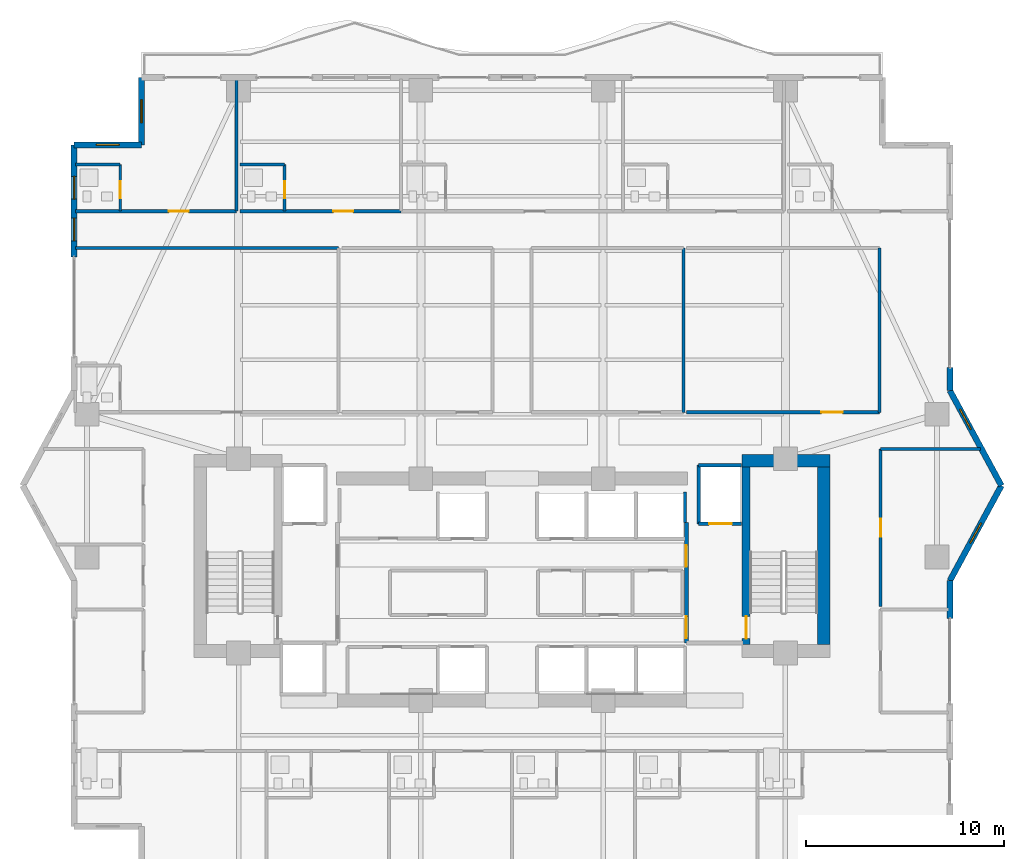
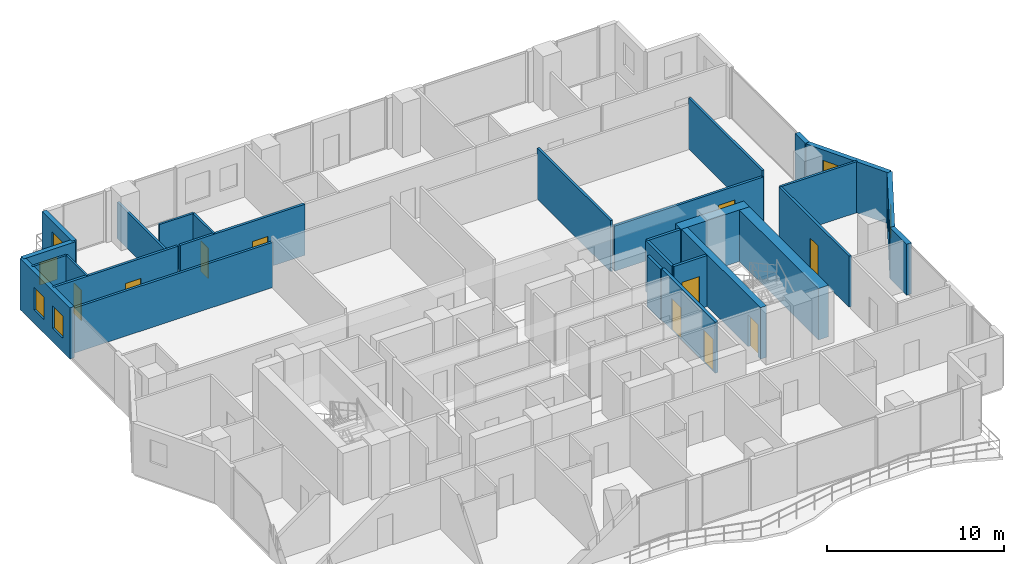
# One storey, part 27 of 32: 28 walls, 10 doors, 6 windows, 16 openings.
"""IFC4 building model written with IfcOpenShell, lengths in metres."""

from ifc_helpers import new_model, si_unit, direction, frame, frame_2d, origin, place, context, subcontext, project, spatial, rectangle, extrude, material, layer, layer_set, type_object, element, fill, save


model = new_model("IFC4")

# Units and contexts
model_context = context("Model", 3, precision=1e-05, world=origin(), true_north=direction((0.0, 1.0)))
body_context = subcontext(model_context, "Body", "Model", "MODEL_VIEW")
ifc_project = project(units=[si_unit("LENGTHUNIT", "METRE"), si_unit("AREAUNIT", "SQUARE_METRE"), si_unit("VOLUMEUNIT", "CUBIC_METRE"), si_unit("PLANEANGLEUNIT", "RADIAN"), si_unit("MASSUNIT", "GRAM", prefix="KILO")], contexts=[model_context])

# Site, building, storey
site_placement = place(None, origin())
site = spatial("IfcSite", under=ifc_project, at=site_placement, CompositionType="ELEMENT")
building_placement = place(site_placement, origin())
building = spatial("IfcBuilding", under=site, at=building_placement, Name="Zuhayl Quay Hotel", CompositionType="ELEMENT")
storey_placement = place(building_placement, frame((0.0, 0.0, 192.39990234375)))
storey = spatial("IfcBuildingStorey", under=building, at=storey_placement, Name="L48", CompositionType="ELEMENT", Elevation=192.39990234375)

# Walls
ifc_material_1 = material(Name="Concrete C50/60", Category="concrete")
ifc_layer_1 = layer(ifc_material_1, 0.64990234375, Name="Concrete C50/60", Category="concrete")
ifc_layer_set_1 = layer_set([ifc_layer_1], Name="Concrete C50/60")
wall_type_1 = type_object("IfcWallType", Name="WL_CORE_650", PredefinedType="SHEAR", material=ifc_layer_set_1)
wall_1_placement = place(storey_placement, frame((11.60009765625, 14.2548828125, 0.0), z_axis=(0.0, 0.0, 1.0), x_axis=(1.0, 0.0, 0.0)))
element("IfcWall", 1, at=wall_1_placement, inside=storey, type_object=wall_type_1, Name="L48 Core Shear Wall CW_NE", PredefinedType="SHEAR", context=body_context, shape_type="SweptSolid", body=[
    extrude(rectangle(XDim=4.4599609375, YDim=0.64990234375, at=frame_2d((2.22998046875, 0.0))), origin(), (0.0, 0.0, 1.0), 3.56005859375),
])
wall_2_placement = place(storey_placement, frame((15.735107421875, 4.969970703125, 0.0), z_axis=(0.0, 0.0, 1.0), x_axis=(0.0, 1.0, 0.0)))
element("IfcWall", 2, at=wall_2_placement, inside=storey, type_object=wall_type_1, Name="L48 Core Shear Wall CW_E", PredefinedType="SHEAR", context=body_context, shape_type="SweptSolid", body=[
    extrude(rectangle(XDim=8.9599609375, YDim=0.64990234375, at=frame_2d((4.47998046875, 0.0))), origin(), (0.0, 0.0, 1.0), 3.56005859375),
])

# Wall, openings, windows
ifc_material_2 = material(Name="Precast concrete C45/55", Category="concrete")
ifc_layer_2 = layer(ifc_material_2, 0.300048828125, Name="Precast concrete C45/55", Category="concrete")
ifc_layer_set_2 = layer_set([ifc_layer_2], Name="Precast concrete C45/55")
wall_type_2 = type_object("IfcWallType", Name="WL_EXT_300", PredefinedType="STANDARD", material=ifc_layer_set_2)
wall_3_placement = place(storey_placement, frame((-22.10009765625, 24.550048828125, 0.0), z_axis=(0.0, 0.0, 1.0), x_axis=(0.0, 1.0, 0.0)))
wall_3 = element("IfcWall", 3, at=wall_3_placement, inside=storey, type_object=wall_type_2, Name="L48 Exterior Precast Wall ENV_L48_E05_EW2", PredefinedType="STANDARD", context=body_context, shape_type="SweptSolid", body=[
    extrude(rectangle(XDim=5.64990234375, YDim=0.300048828125, at=frame_2d((2.824951171875, 0.0))), origin(), (0.0, 0.0, 1.0), 3.530029296875),
])
opening_1_placement = place(wall_3_placement, frame((0.800048828125, 0.0, 0.949951171875)))
opening_1 = element("IfcOpeningElement", 4, at=opening_1_placement, cuts=wall_3, Name="Opening W01N", PredefinedType="OPENING", context=body_context, shape_type="SweptSolid", body=[
    extrude(rectangle(XDim=1.14990234375, YDim=1.550048828125, at=frame_2d((0.574951171875, 0.77490234375))), frame((0.0, 0.159912109375, 0.0), z_axis=(0.0, -1.0, 0.0), x_axis=(1.0, 0.0, 0.0)), (0.0, 0.0, 1.0), 0.320068359375),
])
opening_2_placement = place(wall_3_placement, frame((2.905029296875, 0.0, 0.949951171875)))
opening_2 = element("IfcOpeningElement", 5, at=opening_2_placement, cuts=wall_3, Name="Opening W01N", PredefinedType="OPENING", context=body_context, shape_type="SweptSolid", body=[
    extrude(rectangle(XDim=1.14990234375, YDim=1.550048828125, at=frame_2d((0.574951171875, 0.77490234375))), frame((0.0, 0.159912109375, 0.0), z_axis=(0.0, -1.0, 0.0), x_axis=(1.0, 0.0, 0.0)), (0.0, 0.0, 1.0), 0.320068359375),
])
ifc_material_3 = material(Name="Dark Ceramic-Fritted Solar Glass", Category="glass")
window_type = type_object("IfcWindowType", Name="WN_NOTCH_1350", PartitioningType="SINGLE_PANEL", PredefinedType="WINDOW", material=ifc_material_3)
window_1_placement = place(opening_1_placement, origin())
window_1 = element("IfcWindow", 6, at=window_1_placement, inside=storey, type_object=window_type, Name="L48 Operable Facade Window 2-1", OverallHeight=1.550048828125, OverallWidth=1.14990234375, PartitioningType="SINGLE_PANEL", PredefinedType="WINDOW", context=body_context, shape_type="SweptSolid", body=[
    extrude(rectangle(XDim=1.14990234375, YDim=1.550048828125, at=frame_2d((0.574951171875, 0.77490234375))), frame((0.0, 0.030029296875, 0.0), z_axis=(0.0, -1.0, 0.0), x_axis=(1.0, 0.0, 0.0)), (0.0, 0.0, 1.0), 0.06005859375),
])
fill(opening_1, window_1)
window_2_placement = place(opening_2_placement, origin())
window_2 = element("IfcWindow", 7, at=window_2_placement, inside=storey, type_object=window_type, Name="L48 Operable Facade Window 2-2", OverallHeight=1.550048828125, OverallWidth=1.14990234375, PartitioningType="SINGLE_PANEL", PredefinedType="WINDOW", context=body_context, shape_type="SweptSolid", body=[
    extrude(rectangle(XDim=1.14990234375, YDim=1.550048828125, at=frame_2d((0.574951171875, 0.77490234375))), frame((0.0, 0.030029296875, 0.0), z_axis=(0.0, -1.0, 0.0), x_axis=(1.0, 0.0, 0.0)), (0.0, 0.0, 1.0), 0.06005859375),
])
fill(opening_2, window_2)

# Wall, opening, window
wall_4_placement = place(storey_placement, frame((-22.10009765625, 30.199951171875, 0.0), z_axis=(0.0, 0.0, 1.0), x_axis=(1.0, 0.0, 0.0)))
wall_4 = element("IfcWall", 8, at=wall_4_placement, inside=storey, type_object=wall_type_2, Name="L48 Exterior Precast Wall ENV_L48_EW06", PredefinedType="STANDARD", context=body_context, shape_type="SweptSolid", body=[
    extrude(rectangle(XDim=3.400146484375, YDim=0.300048828125, at=frame_2d((1.7001953125, 0.0))), origin(), (0.0, 0.0, 1.0), 3.530029296875),
])
opening_3_placement = place(wall_4_placement, frame((1.125, 0.0, 1.25)))
opening_3 = element("IfcOpeningElement", 9, at=opening_3_placement, cuts=wall_4, Name="Opening W01N", PredefinedType="OPENING", context=body_context, shape_type="SweptSolid", body=[
    extrude(rectangle(XDim=1.14990234375, YDim=1.550048828125, at=frame_2d((0.574951171875, 0.77490234375))), frame((0.0, 0.159912109375, 0.0), z_axis=(0.0, -1.0, 0.0), x_axis=(1.0, 0.0, 0.0)), (0.0, 0.0, 1.0), 0.320068359375),
])
window_3_placement = place(opening_3_placement, origin())
window_3 = element("IfcWindow", 10, at=window_3_placement, inside=storey, type_object=window_type, Name="L48 Corner Notch Window 6", OverallHeight=1.550048828125, OverallWidth=1.14990234375, PartitioningType="SINGLE_PANEL", PredefinedType="WINDOW", context=body_context, shape_type="SweptSolid", body=[
    extrude(rectangle(XDim=1.14990234375, YDim=1.550048828125, at=frame_2d((0.574951171875, 0.77490234375))), frame((0.0, 0.030029296875, 0.0), z_axis=(0.0, -1.0, 0.0), x_axis=(1.0, 0.0, 0.0)), (0.0, 0.0, 1.0), 0.06005859375),
])
fill(opening_3, window_3)

wall_5_placement = place(storey_placement, frame((-18.699951171875, 30.199951171875, 0.0), z_axis=(0.0, 0.0, 1.0), x_axis=(0.0, 1.0, 0.0)))
wall_5 = element("IfcWall", 11, at=wall_5_placement, inside=storey, type_object=wall_type_2, Name="L48 Exterior Precast Wall ENV_L48_EW07", PredefinedType="STANDARD", context=body_context, shape_type="SweptSolid", body=[
    extrude(rectangle(XDim=3.400146484375, YDim=0.300048828125, at=frame_2d((1.7001953125, 0.0))), origin(), (0.0, 0.0, 1.0), 3.530029296875),
])
opening_4_placement = place(wall_5_placement, frame((1.125, 0.0, 1.25)))
opening_4 = element("IfcOpeningElement", 12, at=opening_4_placement, cuts=wall_5, Name="Opening W01N", PredefinedType="OPENING", context=body_context, shape_type="SweptSolid", body=[
    extrude(rectangle(XDim=1.14990234375, YDim=1.550048828125, at=frame_2d((0.574951171875, 0.77490234375))), frame((0.0, 0.159912109375, 0.0), z_axis=(0.0, -1.0, 0.0), x_axis=(1.0, 0.0, 0.0)), (0.0, 0.0, 1.0), 0.320068359375),
])
window_4_placement = place(opening_4_placement, origin())
window_4 = element("IfcWindow", 13, at=window_4_placement, inside=storey, type_object=window_type, Name="L48 Corner Notch Window 7", OverallHeight=1.550048828125, OverallWidth=1.14990234375, PartitioningType="SINGLE_PANEL", PredefinedType="WINDOW", context=body_context, shape_type="SweptSolid", body=[
    extrude(rectangle(XDim=1.14990234375, YDim=1.550048828125, at=frame_2d((0.574951171875, 0.77490234375))), frame((0.0, 0.030029296875, 0.0), z_axis=(0.0, -1.0, 0.0), x_axis=(1.0, 0.0, 0.0)), (0.0, 0.0, 1.0), 0.06005859375),
])
fill(opening_4, window_4)

# Wall
wall_6_placement = place(storey_placement, frame((22.10009765625, 18.949951171875, 0.0), z_axis=(0.0, 0.0, 1.0), x_axis=(0.0, -1.0, 0.0)))
element("IfcWall", 14, at=wall_6_placement, inside=storey, type_object=wall_type_2, Name="L48 Exterior Precast Wall ENV_L48_E11_EW2", PredefinedType="STANDARD", context=body_context, shape_type="SweptSolid", body=[
    extrude(rectangle(XDim=1.14990234375, YDim=0.300048828125, at=frame_2d((0.574951171875, 0.0))), origin(), (0.0, 0.0, 1.0), 3.530029296875),
])

# Wall, opening, window
wall_7_placement = place(storey_placement, frame((22.10009765625, 17.800048828125, 0.0), z_axis=(0.0, 0.0, 1.0), x_axis=(0.476258655584, -0.879305233114, 0.0)))
wall_7 = element("IfcWall", 15, at=wall_7_placement, inside=storey, type_object=wall_type_2, Name="L48 Exterior Precast Wall ENV_L48_EW12", PredefinedType="STANDARD", context=body_context, shape_type="SweptSolid", body=[
    extrude(rectangle(XDim=5.458984375, YDim=0.300048828125, at=frame_2d((2.7294921875, 0.0))), origin(), (0.0, 0.0, 1.0), 3.530029296875),
])
opening_5_placement = place(wall_7_placement, frame((1.078125, 0.0, 1.25)))
opening_5 = element("IfcOpeningElement", 16, at=opening_5_placement, cuts=wall_7, Name="Opening W01N", PredefinedType="OPENING", context=body_context, shape_type="SweptSolid", body=[
    extrude(rectangle(XDim=1.14990234375, YDim=1.550048828125, at=frame_2d((0.574951171875, 0.77490234375))), frame((0.0, 0.159912109375, 0.0), z_axis=(0.0, -1.0, 0.0), x_axis=(1.0, 0.0, 0.0)), (0.0, 0.0, 1.0), 0.320068359375),
])
window_5_placement = place(opening_5_placement, origin())
window_5 = element("IfcWindow", 17, at=window_5_placement, inside=storey, type_object=window_type, Name="L48 Corner Notch Window 12", OverallHeight=1.550048828125, OverallWidth=1.14990234375, PartitioningType="SINGLE_PANEL", PredefinedType="WINDOW", context=body_context, shape_type="SweptSolid", body=[
    extrude(rectangle(XDim=1.14990234375, YDim=1.550048828125, at=frame_2d((0.574951171875, 0.77490234375))), frame((0.0, 0.030029296875, 0.0), z_axis=(0.0, -1.0, 0.0), x_axis=(1.0, 0.0, 0.0)), (0.0, 0.0, 1.0), 0.06005859375),
])
fill(opening_5, window_5)

wall_8_placement = place(storey_placement, frame((24.699951171875, 13.0, 0.0), z_axis=(0.0, 0.0, 1.0), x_axis=(-0.476258655584, -0.879305233114, 0.0)))
wall_8 = element("IfcWall", 18, at=wall_8_placement, inside=storey, type_object=wall_type_2, Name="L48 Exterior Precast Wall ENV_L48_EW13", PredefinedType="STANDARD", context=body_context, shape_type="SweptSolid", body=[
    extrude(rectangle(XDim=5.458984375, YDim=0.300048828125, at=frame_2d((2.7294921875, 0.0))), origin(), (0.0, 0.0, 1.0), 3.530029296875),
])
opening_6_placement = place(wall_8_placement, frame((2.154541015625, 0.0, 1.25)))
opening_6 = element("IfcOpeningElement", 19, at=opening_6_placement, cuts=wall_8, Name="Opening W01N", PredefinedType="OPENING", context=body_context, shape_type="SweptSolid", body=[
    extrude(rectangle(XDim=1.14990234375, YDim=1.550048828125, at=frame_2d((0.574951171875, 0.77490234375))), frame((0.0, 0.159912109375, 0.0), z_axis=(0.0, -1.0, 0.0), x_axis=(1.0, 0.0, 0.0)), (0.0, 0.0, 1.0), 0.320068359375),
])
window_6_placement = place(opening_6_placement, origin())
window_6 = element("IfcWindow", 20, at=window_6_placement, inside=storey, type_object=window_type, Name="L48 Corner Notch Window 13", OverallHeight=1.550048828125, OverallWidth=1.14990234375, PartitioningType="SINGLE_PANEL", PredefinedType="WINDOW", context=body_context, shape_type="SweptSolid", body=[
    extrude(rectangle(XDim=1.14990234375, YDim=1.550048828125, at=frame_2d((0.574951171875, 0.77490234375))), frame((0.0, 0.030029296875, 0.0), z_axis=(0.0, -1.0, 0.0), x_axis=(1.0, 0.0, 0.0)), (0.0, 0.0, 1.0), 0.06005859375),
])
fill(opening_6, window_6)

# Walls
wall_9_placement = place(storey_placement, frame((22.10009765625, 8.199951171875, 0.0), z_axis=(0.0, 0.0, 1.0), x_axis=(0.0, -1.0, 0.0)))
element("IfcWall", 21, at=wall_9_placement, inside=storey, type_object=wall_type_2, Name="L48 Exterior Precast Wall ENV_L48_E14_EW1", PredefinedType="STANDARD", context=body_context, shape_type="SweptSolid", body=[
    extrude(rectangle(XDim=1.89990234375, YDim=0.300048828125, at=frame_2d((0.949951171875, 0.0))), origin(), (0.0, 0.0, 1.0), 3.530029296875),
])
ifc_material_4 = material(Name="Acoustic Gypsum Partition STC-58")
ifc_layer_3 = layer(ifc_material_4, 0.14990234375, Name="Acoustic Gypsum Partition STC-58")
ifc_layer_set_3 = layer_set([ifc_layer_3], Name="Acoustic Gypsum Partition STC-58")
wall_type_3 = type_object("IfcWallType", Name="WL_PART_150", PredefinedType="PARTITIONING", material=ifc_layer_set_3)
wall_10_placement = place(storey_placement, frame((-13.89990234375, 26.85009765625, 0.0), z_axis=(0.0, 0.0, 1.0), x_axis=(0.0, 1.0, 0.0)))
element("IfcWall", 22, at=wall_10_placement, inside=storey, type_object=wall_type_3, Name="L48 Partition IW_L48_NU01A_E", PredefinedType="PARTITIONING", context=body_context, shape_type="SweptSolid", body=[
    extrude(rectangle(XDim=6.669921875, YDim=0.14990234375, at=frame_2d((3.3349609375, 0.0))), origin(), (0.0, 0.0, 1.0), 2.51904296875),
])
for number, where, z_axis, x_axis, name in (
    (23, (8.64990234375, 16.699951171875, 0.0), (0.0, 0.0, 1.0), (0.0, 1.0, 0.0), "L48 Partition IW_L48_Z3_SAL_E1_E"),
    (24, (18.550048828125, 16.699951171875, 0.0), (0.0, 0.0, 1.0), (0.0, 1.0, 0.0), "L48 Partition IW_L48_Z3_SAL_E2_E"),
):
    element("IfcWall", number, at=place(storey_placement, frame(where, z_axis=z_axis, x_axis=x_axis)), inside=storey, type_object=wall_type_3, Name=name, PredefinedType="PARTITIONING", context=body_context, shape_type="SweptSolid", body=[
        extrude(rectangle(XDim=8.300048828125, YDim=0.14990234375, at=frame_2d((4.14990234375, 0.0))), origin(), (0.0, 0.0, 1.0), 3.530029296875),
    ])
wall_11_placement = place(storey_placement, frame((18.60009765625, 14.85009765625, 0.0), z_axis=(0.0, 0.0, 1.0), x_axis=(1.0, 0.0, 0.0)))
element("IfcWall", 25, at=wall_11_placement, inside=storey, type_object=wall_type_3, Name="L48 Partition IW_L48_EFLK_2_N", PredefinedType="PARTITIONING", context=body_context, shape_type="SweptSolid", body=[
    extrude(rectangle(XDim=5.037841796875, YDim=0.14990234375, at=frame_2d((2.51904296875, 0.0))), origin(), (0.0, 0.0, 1.0), 3.530029296875),
])

# Wall, opening, door
ifc_layer_4 = layer(ifc_material_4, 0.159912109375, Name="Acoustic Gypsum Partition STC-58")
ifc_layer_set_4 = layer_set([ifc_layer_4], Name="Acoustic Gypsum Partition STC-58")
wall_type_4 = type_object("IfcWallType", Name="WL_PART_CORR_160", PredefinedType="PARTITIONING", material=ifc_layer_set_4)
wall_12_placement = place(storey_placement, frame((-22.0400390625, 26.85009765625, 0.0), z_axis=(0.0, 0.0, 1.0), x_axis=(1.0, 0.0, 0.0)))
wall_12 = element("IfcWall", 26, at=wall_12_placement, inside=storey, type_object=wall_type_4, Name="L48 Partition IW_L48_NU01A_COR", PredefinedType="PARTITIONING", context=body_context, shape_type="SweptSolid", body=[
    extrude(rectangle(XDim=8.14013671875, YDim=0.159912109375, at=frame_2d((4.070068359375, 0.0))), origin(), (0.0, 0.0, 1.0), 3.530029296875),
])
opening_7_placement = place(wall_12_placement, frame((4.719970703125, 0.0, 0.0)))
opening_7 = element("IfcOpeningElement", 27, at=opening_7_placement, cuts=wall_12, Name="Opening D03L", PredefinedType="OPENING", context=body_context, shape_type="SweptSolid", body=[
    extrude(rectangle(XDim=1.0, YDim=2.14990234375, at=frame_2d((0.5, 1.074951171875))), frame((0.0, 0.08984375, 0.0), z_axis=(0.0, -1.0, 0.0), x_axis=(1.0, 0.0, 0.0)), (0.0, 0.0, 1.0), 0.179931640625),
])
ifc_material_5 = material(Name="Solid Walnut Acoustic Fire Door")
door_type_1 = type_object("IfcDoorType", Name="DR_SUITE_1000", OperationType="NOTDEFINED", PredefinedType="DOOR", material=ifc_material_5)
door_1_placement = place(opening_7_placement, origin())
door_1 = element("IfcDoor", 28, at=door_1_placement, inside=storey, type_object=door_type_1, Name="L48 Panoramic Gulf Suite L48-01A Entrance Door", OperationType="SINGLE_SWING_RIGHT", OverallHeight=2.14990234375, OverallWidth=1.0, PredefinedType="DOOR", context=body_context, shape_type="SweptSolid", body=[
    extrude(rectangle(XDim=1.0, YDim=2.14990234375, at=frame_2d((0.5, 1.074951171875))), frame((0.0, 0.02490234375, 0.0), z_axis=(0.0, -1.0, 0.0), x_axis=(1.0, 0.0, 0.0)), (0.0, 0.0, 1.0), 0.050048828125),
])
fill(opening_7, door_1)

wall_13_placement = place(storey_placement, frame((-13.739990234375, 26.85009765625, 0.0), z_axis=(0.0, 0.0, 1.0), x_axis=(1.0, 0.0, 0.0)))
wall_13 = element("IfcWall", 29, at=wall_13_placement, inside=storey, type_object=wall_type_4, Name="L48 Partition IW_L48_NU01B_COR", PredefinedType="PARTITIONING", context=body_context, shape_type="SweptSolid", body=[
    extrude(rectangle(XDim=8.139892578125, YDim=0.159912109375, at=frame_2d((4.06982421875, 0.0))), origin(), (0.0, 0.0, 1.0), 3.530029296875),
])
opening_8_placement = place(wall_13_placement, frame((4.719970703125, 0.0, 0.0)))
opening_8 = element("IfcOpeningElement", 30, at=opening_8_placement, cuts=wall_13, Name="Opening D03L", PredefinedType="OPENING", context=body_context, shape_type="SweptSolid", body=[
    extrude(rectangle(XDim=1.0, YDim=2.14990234375, at=frame_2d((0.5, 1.074951171875))), frame((0.0, 0.08984375, 0.0), z_axis=(0.0, -1.0, 0.0), x_axis=(1.0, 0.0, 0.0)), (0.0, 0.0, 1.0), 0.179931640625),
])
door_2_placement = place(opening_8_placement, origin())
door_2 = element("IfcDoor", 31, at=door_2_placement, inside=storey, type_object=door_type_1, Name="L48 Panoramic Gulf Suite L48-01B Entrance Door", OperationType="SINGLE_SWING_RIGHT", OverallHeight=2.14990234375, OverallWidth=1.0, PredefinedType="DOOR", context=body_context, shape_type="SweptSolid", body=[
    extrude(rectangle(XDim=1.0, YDim=2.14990234375, at=frame_2d((0.5, 1.074951171875))), frame((0.0, 0.02490234375, 0.0), z_axis=(0.0, -1.0, 0.0), x_axis=(1.0, 0.0, 0.0)), (0.0, 0.0, 1.0), 0.050048828125),
])
fill(opening_8, door_2)

wall_14_placement = place(storey_placement, frame((8.81005859375, 16.699951171875, 0.0), z_axis=(0.0, 0.0, 1.0), x_axis=(1.0, 0.0, 0.0)))
wall_14 = element("IfcWall", 32, at=wall_14_placement, inside=storey, type_object=wall_type_4, Name="L48 Partition IW_L48_Z3_SAL_E2_S", PredefinedType="PARTITIONING", context=body_context, shape_type="SweptSolid", body=[
    extrude(rectangle(XDim=9.739990234375, YDim=0.159912109375, at=frame_2d((4.8701171875, 0.0))), origin(), (0.0, 0.0, 1.0), 3.1240234375),
])
opening_9_placement = place(wall_14_placement, frame((6.800048828125, 0.0, 0.0)))
opening_9 = element("IfcOpeningElement", 33, at=opening_9_placement, cuts=wall_14, Name="Opening D05A", PredefinedType="OPENING", context=body_context, shape_type="SweptSolid", body=[
    extrude(rectangle(XDim=1.080078125, YDim=2.179931640625, at=frame_2d((0.5400390625, 1.08984375))), frame((0.0, 0.08984375, 0.0), z_axis=(0.0, -1.0, 0.0), x_axis=(1.0, 0.0, 0.0)), (0.0, 0.0, 1.0), 0.179931640625),
])
door_type_2 = type_object("IfcDoorType", Name="DR_INT_1100", OperationType="NOTDEFINED", PredefinedType="DOOR", material=ifc_material_5)
door_3_placement = place(opening_9_placement, origin())
door_3 = element("IfcDoor", 34, at=door_3_placement, inside=storey, type_object=door_type_2, Name="L48 Botanical Tea Salon Door", OperationType="SINGLE_SWING_LEFT", OverallHeight=2.179931640625, OverallWidth=1.080078125, PredefinedType="DOOR", context=body_context, shape_type="SweptSolid", body=[
    extrude(rectangle(XDim=1.080078125, YDim=2.179931640625, at=frame_2d((0.5400390625, 1.08984375))), frame((0.0, 0.02490234375, 0.0), z_axis=(0.0, -1.0, 0.0), x_axis=(1.0, 0.0, 0.0)), (0.0, 0.0, 1.0), 0.050048828125),
])
fill(opening_9, door_3)

wall_15_placement = place(storey_placement, frame((18.60009765625, 6.909912109375, 0.0), z_axis=(0.0, 0.0, 1.0), x_axis=(0.0, 1.0, 0.0)))
wall_15 = element("IfcWall", 35, at=wall_15_placement, inside=storey, type_object=wall_type_4, Name="L48 Partition IW_L48_EFLK_2_W", PredefinedType="PARTITIONING", context=body_context, shape_type="SweptSolid", body=[
    extrude(rectangle(XDim=7.940185546875, YDim=0.159912109375, at=frame_2d((3.97021484375, 0.0))), origin(), (0.0, 0.0, 1.0), 3.530029296875),
])
opening_10_placement = place(wall_15_placement, frame((3.510009765625, 0.0, 0.0)))
opening_10 = element("IfcOpeningElement", 36, at=opening_10_placement, cuts=wall_15, Name="Opening D05", PredefinedType="OPENING", context=body_context, shape_type="SweptSolid", body=[
    extrude(rectangle(XDim=0.919921875, YDim=2.1201171875, at=frame_2d((0.4599609375, 1.06005859375))), frame((0.0, 0.08984375, 0.0), z_axis=(0.0, -1.0, 0.0), x_axis=(1.0, 0.0, 0.0)), (0.0, 0.0, 1.0), 0.179931640625),
])
door_type_3 = type_object("IfcDoorType", Name="DR_INT_950", OperationType="NOTDEFINED", PredefinedType="DOOR", material=ifc_material_5)
door_4_placement = place(opening_10_placement, origin())
door_4 = element("IfcDoor", 37, at=door_4_placement, inside=storey, type_object=door_type_3, Name="L48 East Prow Reading Lounge L48 Door", OperationType="SINGLE_SWING_LEFT", OverallHeight=2.1201171875, OverallWidth=0.919921875, PredefinedType="DOOR", context=body_context, shape_type="SweptSolid", body=[
    extrude(rectangle(XDim=0.919921875, YDim=2.1201171875, at=frame_2d((0.4599609375, 1.06005859375))), frame((0.0, 0.02490234375, 0.0), z_axis=(0.0, -1.0, 0.0), x_axis=(1.0, 0.0, 0.0)), (0.0, 0.0, 1.0), 0.050048828125),
])
fill(opening_10, door_4)

# Wall
wall_16_placement = place(storey_placement, frame((-22.0400390625, 25.0, 0.0), z_axis=(0.0, 0.0, 1.0), x_axis=(1.0, 0.0, 0.0)))
element("IfcWall", 38, at=wall_16_placement, inside=storey, type_object=wall_type_4, Name="L48 Partition IW_L48_MU01_BK", PredefinedType="PARTITIONING", context=body_context, shape_type="SweptSolid", body=[
    extrude(rectangle(XDim=13.2900390625, YDim=0.159912109375, at=frame_2d((6.64501953125, 0.0))), origin(), (0.0, 0.0, 1.0), 3.1240234375),
])

# Wall, opening, door
ifc_material_6 = material(Name="Moisture-Resistant Sanitarychase Gypsum")
ifc_layer_5 = layer(ifc_material_6, 0.135009765625, Name="Moisture-Resistant Sanitarychase Gypsum")
ifc_layer_set_5 = layer_set([ifc_layer_5], Name="Moisture-Resistant Sanitarychase Gypsum")
wall_type_5 = type_object("IfcWallType", Name="WL_PART_PLUMB_150", PredefinedType="PLUMBINGWALL", material=ifc_layer_set_5)
wall_17_placement = place(storey_placement, frame((-19.780029296875, 26.85009765625, 0.0), z_axis=(0.0, 0.0, 1.0), x_axis=(0.0, 1.0, 0.0)))
wall_17 = element("IfcWall", 39, at=wall_17_placement, inside=storey, type_object=wall_type_5, Name="L48 Partition IW_L48_NU01A_BE", PredefinedType="PLUMBINGWALL", context=body_context, shape_type="SweptSolid", body=[
    extrude(rectangle(XDim=2.35986328125, YDim=0.135009765625, at=frame_2d((1.179931640625, 0.0))), origin(), (0.0, 0.0, 1.0), 3.530029296875),
])
opening_11_placement = place(wall_17_placement, frame((0.64990234375, 0.0, 0.0)))
opening_11 = element("IfcOpeningElement", 40, at=opening_11_placement, cuts=wall_17, Name="Opening D04", PredefinedType="OPENING", context=body_context, shape_type="SweptSolid", body=[
    extrude(rectangle(XDim=0.85009765625, YDim=2.10009765625, at=frame_2d((0.425048828125, 1.050048828125))), frame((0.0, 0.077392578125, 0.0), z_axis=(0.0, -1.0, 0.0), x_axis=(1.0, 0.0, 0.0)), (0.0, 0.0, 1.0), 0.155029296875),
])
ifc_material_7 = material(Name="Moisture-Resistant Walnut Veneer")
door_type_4 = type_object("IfcDoorType", Name="DR_BATH_850", OperationType="NOTDEFINED", PredefinedType="DOOR", material=ifc_material_7)
door_5_placement = place(opening_11_placement, origin())
door_5 = element("IfcDoor", 41, at=door_5_placement, inside=storey, type_object=door_type_4, Name="L48 Panoramic Gulf Suite L48-01A En-Suite Door", OperationType="SINGLE_SWING_LEFT", OverallHeight=2.10009765625, OverallWidth=0.85009765625, PredefinedType="DOOR", context=body_context, shape_type="SweptSolid", body=[
    extrude(rectangle(XDim=0.85009765625, YDim=2.10009765625, at=frame_2d((0.425048828125, 1.050048828125))), frame((0.0, 0.02490234375, 0.0), z_axis=(0.0, -1.0, 0.0), x_axis=(1.0, 0.0, 0.0)), (0.0, 0.0, 1.0), 0.050048828125),
])
fill(opening_11, door_5)

wall_18_placement = place(storey_placement, frame((-11.47998046875, 26.85009765625, 0.0), z_axis=(0.0, 0.0, 1.0), x_axis=(0.0, 1.0, 0.0)))
wall_18 = element("IfcWall", 42, at=wall_18_placement, inside=storey, type_object=wall_type_5, Name="L48 Partition IW_L48_NU01B_BE", PredefinedType="PLUMBINGWALL", context=body_context, shape_type="SweptSolid", body=[
    extrude(rectangle(XDim=2.35986328125, YDim=0.135009765625, at=frame_2d((1.179931640625, 0.0))), origin(), (0.0, 0.0, 1.0), 3.530029296875),
])
opening_12_placement = place(wall_18_placement, frame((0.64990234375, 0.0, 0.0)))
opening_12 = element("IfcOpeningElement", 43, at=opening_12_placement, cuts=wall_18, Name="Opening D04", PredefinedType="OPENING", context=body_context, shape_type="SweptSolid", body=[
    extrude(rectangle(XDim=0.85009765625, YDim=2.10009765625, at=frame_2d((0.425048828125, 1.050048828125))), frame((0.0, 0.077392578125, 0.0), z_axis=(0.0, -1.0, 0.0), x_axis=(1.0, 0.0, 0.0)), (0.0, 0.0, 1.0), 0.155029296875),
])
door_6_placement = place(opening_12_placement, origin())
door_6 = element("IfcDoor", 44, at=door_6_placement, inside=storey, type_object=door_type_4, Name="L48 Panoramic Gulf Suite L48-01B En-Suite Door", OperationType="SINGLE_SWING_LEFT", OverallHeight=2.10009765625, OverallWidth=0.85009765625, PredefinedType="DOOR", context=body_context, shape_type="SweptSolid", body=[
    extrude(rectangle(XDim=0.85009765625, YDim=2.10009765625, at=frame_2d((0.425048828125, 1.050048828125))), frame((0.0, 0.02490234375, 0.0), z_axis=(0.0, -1.0, 0.0), x_axis=(1.0, 0.0, 0.0)), (0.0, 0.0, 1.0), 0.050048828125),
])
fill(opening_12, door_6)

# Walls
for number, where, z_axis, x_axis, name in (
    (45, (-22.0400390625, 29.2099609375, 0.0), (0.0, 0.0, 1.0), (1.0, 0.0, 0.0), "L48 Partition IW_L48_NU01A_BN"),
    (46, (-13.739990234375, 29.2099609375, 0.0), (0.0, 0.0, 1.0), (1.0, 0.0, 0.0), "L48 Partition IW_L48_NU01B_BN"),
):
    element("IfcWall", number, at=place(storey_placement, frame(where, z_axis=z_axis, x_axis=x_axis)), inside=storey, type_object=wall_type_5, Name=name, PredefinedType="PLUMBINGWALL", context=body_context, shape_type="SweptSolid", body=[
        extrude(rectangle(XDim=2.260009765625, YDim=0.135009765625, at=frame_2d((1.1298828125, 0.0))), origin(), (0.0, 0.0, 1.0), 3.530029296875),
    ])

# Wall, opening, door
ifc_material_8 = material(Name="Gypsum Fireboard Assembly EI-90")
ifc_layer_6 = layer(ifc_material_8, 0.1650390625, Name="Gypsum Fireboard Assembly EI-90")
ifc_layer_set_6 = layer_set([ifc_layer_6], Name="Gypsum Fireboard Assembly EI-90")
wall_type_6 = type_object("IfcWallType", Name="WL_PART_SHAFT_160", PredefinedType="PARTITIONING", material=ifc_layer_set_6)
wall_19_placement = place(storey_placement, frame((9.419921875, 11.070068359375, 0.0), z_axis=(0.0, 0.0, 1.0), x_axis=(1.0, 0.0, 0.0)))
wall_19 = element("IfcWall", 47, at=wall_19_placement, inside=storey, type_object=wall_type_6, Name="L48 Partition IW_L48_SH_FL2_F", PredefinedType="PARTITIONING", context=body_context, shape_type="SweptSolid", body=[
    extrude(rectangle(XDim=2.16015625, YDim=0.1650390625, at=frame_2d((1.080078125, 0.0))), origin(), (0.0, 0.0, 1.0), 3.530029296875),
])
opening_13_placement = place(wall_19_placement, frame((0.530029296875, 0.0, 0.0)))
opening_13 = element("IfcOpeningElement", 48, at=opening_13_placement, cuts=wall_19, Name="Opening LD2", PredefinedType="OPENING", context=body_context, shape_type="SweptSolid", body=[
    extrude(rectangle(XDim=1.14990234375, YDim=2.25, at=frame_2d((0.574951171875, 1.125))), frame((0.0, 0.092529296875, 0.0), z_axis=(0.0, -1.0, 0.0), x_axis=(1.0, 0.0, 0.0)), (0.0, 0.0, 1.0), 0.18505859375),
])
ifc_material_9 = material(Name="Brushed Stainless Steel", Category="steel")
door_type_5 = type_object("IfcDoorType", Name="DR_LIFT_FF_1100", OperationType="SLIDING_TO_LEFT", PredefinedType="DOOR", material=ifc_material_9)
door_7_placement = place(opening_13_placement, origin())
door_7 = element("IfcDoor", 49, at=door_7_placement, inside=storey, type_object=door_type_5, Name="L48 Lift FL2 Sliding Landing Door", OperationType="SLIDING_TO_LEFT", OverallHeight=2.25, OverallWidth=1.14990234375, PredefinedType="DOOR", context=body_context, shape_type="SweptSolid", body=[
    extrude(rectangle(XDim=1.14990234375, YDim=2.25, at=frame_2d((0.574951171875, 1.125))), frame((0.0, 0.02490234375, 0.0), z_axis=(0.0, -1.0, 0.0), x_axis=(1.0, 0.0, 0.0)), (0.0, 0.0, 1.0), 0.050048828125),
])
fill(opening_13, door_7)

# Walls
wall_20_placement = place(storey_placement, frame((9.419921875, 11.070068359375, 0.0), z_axis=(0.0, 0.0, 1.0), x_axis=(0.0, 1.0, 0.0)))
element("IfcWall", 50, at=wall_20_placement, inside=storey, type_object=wall_type_6, Name="L48 Partition IW_L48_SH_FL2_W", PredefinedType="PARTITIONING", context=body_context, shape_type="SweptSolid", body=[
    extrude(rectangle(XDim=2.9599609375, YDim=0.1650390625, at=frame_2d((1.47998046875, 0.0))), origin(), (0.0, 0.0, 1.0), 3.530029296875),
])
wall_21_placement = place(storey_placement, frame((9.419921875, 14.030029296875, 0.0), z_axis=(0.0, 0.0, 1.0), x_axis=(1.0, 0.0, 0.0)))
element("IfcWall", 51, at=wall_21_placement, inside=storey, type_object=wall_type_6, Name="L48 Partition IW_L48_SH_FL2_B", PredefinedType="PARTITIONING", context=body_context, shape_type="SweptSolid", body=[
    extrude(rectangle(XDim=2.16015625, YDim=0.1650390625, at=frame_2d((1.080078125, 0.0))), origin(), (0.0, 0.0, 1.0), 3.530029296875),
])
wall_22_placement = place(storey_placement, frame((8.72998046875, 11.14990234375, 0.0), z_axis=(0.0, 0.0, 1.0), x_axis=(0.0, 1.0, 0.0)))
element("IfcWall", 52, at=wall_22_placement, inside=storey, type_object=wall_type_6, Name="L48 Partition IW_L48_SH_HP4_E", PredefinedType="PARTITIONING", context=body_context, shape_type="SweptSolid", body=[
    extrude(rectangle(XDim=1.530029296875, YDim=0.1650390625, at=frame_2d((0.76513671875, 0.0))), origin(), (0.0, 0.0, 1.0), 3.530029296875),
])

# Wall, openings, doors
ifc_material_10 = material(Name="Gypsum Fireboard Assembly EI-120")
ifc_layer_7 = layer(ifc_material_10, 0.199951171875, Name="Gypsum Fireboard Assembly EI-120")
ifc_layer_set_7 = layer_set([ifc_layer_7], Name="Gypsum Fireboard Assembly EI-120")
wall_type_7 = type_object("IfcWallType", Name="WL_PART_SHAFT_200", PredefinedType="PARTITIONING", material=ifc_layer_set_7)
wall_23_placement = place(storey_placement, frame((8.800048828125, 11.14990234375, 0.0), z_axis=(0.0, 0.0, 1.0), x_axis=(0.0, -1.0, 0.0)))
wall_23 = element("IfcWall", 53, at=wall_23_placement, inside=storey, type_object=wall_type_7, Name="L48 Partition IW_L48_FSAE_E_W", PredefinedType="PARTITIONING", context=body_context, shape_type="SweptSolid", body=[
    extrude(rectangle(XDim=6.099853515625, YDim=0.199951171875, at=frame_2d((3.0498046875, 0.0))), origin(), (0.0, 0.0, 1.0), 3.530029296875),
])
opening_14_placement = place(wall_23_placement, frame((1.14990234375, 0.0, 0.0)))
opening_14 = element("IfcOpeningElement", 54, at=opening_14_placement, cuts=wall_23, Name="Opening D02", PredefinedType="OPENING", context=body_context, shape_type="SweptSolid", body=[
    extrude(rectangle(XDim=1.10009765625, YDim=2.199951171875, at=frame_2d((0.550048828125, 1.10009765625))), frame((0.0, 0.10986328125, 0.0), z_axis=(0.0, -1.0, 0.0), x_axis=(1.0, 0.0, 0.0)), (0.0, 0.0, 1.0), 0.219970703125),
])
opening_15_placement = place(wall_23_placement, frame((4.75, 0.0, 0.0)))
opening_15 = element("IfcOpeningElement", 55, at=opening_15_placement, cuts=wall_23, Name="Opening D02", PredefinedType="OPENING", context=body_context, shape_type="SweptSolid", body=[
    extrude(rectangle(XDim=1.10009765625, YDim=2.199951171875, at=frame_2d((0.550048828125, 1.10009765625))), frame((0.0, 0.10986328125, 0.0), z_axis=(0.0, -1.0, 0.0), x_axis=(1.0, 0.0, 0.0)), (0.0, 0.0, 1.0), 0.219970703125),
])
ifc_material_11 = material(Name="Steel ASTM A992 Grade 50", Category="steel")
door_type_6 = type_object("IfcDoorType", Name="DR_FIRE_90_1100", OperationType="NOTDEFINED", PredefinedType="DOOR", material=ifc_material_11)
door_8_placement = place(opening_14_placement, origin())
door_8 = element("IfcDoor", 56, at=door_8_placement, inside=storey, type_object=door_type_6, Name="L48 FSAE Lobby East North Entry Door", OperationType="SINGLE_SWING_LEFT", OverallHeight=2.199951171875, OverallWidth=1.10009765625, PredefinedType="DOOR", context=body_context, shape_type="SweptSolid", body=[
    extrude(rectangle(XDim=1.10009765625, YDim=2.199951171875, at=frame_2d((0.550048828125, 1.10009765625))), frame((0.0, 0.02490234375, 0.0), z_axis=(0.0, -1.0, 0.0), x_axis=(1.0, 0.0, 0.0)), (0.0, 0.0, 1.0), 0.050048828125),
])
fill(opening_14, door_8)
door_9_placement = place(opening_15_placement, origin())
door_9 = element("IfcDoor", 57, at=door_9_placement, inside=storey, type_object=door_type_6, Name="L48 FSAE Lobby East South Entry Door", OperationType="SINGLE_SWING_RIGHT", OverallHeight=2.199951171875, OverallWidth=1.10009765625, PredefinedType="DOOR", context=body_context, shape_type="SweptSolid", body=[
    extrude(rectangle(XDim=1.10009765625, YDim=2.199951171875, at=frame_2d((0.550048828125, 1.10009765625))), frame((0.0, 0.02490234375, 0.0), z_axis=(0.0, -1.0, 0.0), x_axis=(1.0, 0.0, 0.0)), (0.0, 0.0, 1.0), 0.050048828125),
])
fill(opening_15, door_9)

# Wall, opening, door
ifc_material_12 = material(Name="Concrete C60/75", Category="concrete")
ifc_layer_8 = layer(ifc_material_12, 0.39990234375, Name="Concrete C60/75", Category="concrete")
ifc_layer_set_8 = layer_set([ifc_layer_8], Name="Concrete C60/75")
wall_type_8 = type_object("IfcWallType", Name="WL_STAIR_400", PredefinedType="SHEAR", material=ifc_layer_set_8)
wall_24_placement = place(storey_placement, frame((11.820068359375, 13.929931640625, 0.0), z_axis=(0.0, 0.0, 1.0), x_axis=(0.0, -1.0, 0.0)))
wall_24 = element("IfcWall", 58, at=wall_24_placement, inside=storey, type_object=wall_type_8, Name="L48 Core Shear Wall SW_ST2", PredefinedType="SHEAR", context=body_context, shape_type="SweptSolid", body=[
    extrude(rectangle(XDim=8.9599609375, YDim=0.39990234375, at=frame_2d((4.47998046875, 0.0))), origin(), (0.0, 0.0, 1.0), 3.56005859375),
])
opening_16_placement = place(wall_24_placement, frame((7.530029296875, 0.0, 0.0)))
opening_16 = element("IfcOpeningElement", 59, at=opening_16_placement, cuts=wall_24, Name="Opening D01", PredefinedType="OPENING", context=body_context, shape_type="SweptSolid", body=[
    extrude(rectangle(XDim=1.1201171875, YDim=2.219970703125, at=frame_2d((0.56005859375, 1.10986328125))), frame((0.0, 0.2099609375, 0.0), z_axis=(0.0, -1.0, 0.0), x_axis=(1.0, 0.0, 0.0)), (0.0, 0.0, 1.0), 0.419921875),
])
door_type_7 = type_object("IfcDoorType", Name="DR_STAIR_90_1100", OperationType="NOTDEFINED", PredefinedType="DOOR", material=ifc_material_11)
door_10_placement = place(opening_16_placement, origin())
door_10 = element("IfcDoor", 60, at=door_10_placement, inside=storey, type_object=door_type_7, Name="L48 Smokeproof Exit Stair ST2 Door", OperationType="SINGLE_SWING_RIGHT", OverallHeight=2.219970703125, OverallWidth=1.1201171875, PredefinedType="DOOR", context=body_context, shape_type="SweptSolid", body=[
    extrude(rectangle(XDim=1.1201171875, YDim=2.219970703125, at=frame_2d((0.56005859375, 1.10986328125))), frame((0.0, 0.02490234375, 0.0), z_axis=(0.0, -1.0, 0.0), x_axis=(1.0, 0.0, 0.0)), (0.0, 0.0, 1.0), 0.050048828125),
])
fill(opening_16, door_10)

save(model, "model.ifc")
